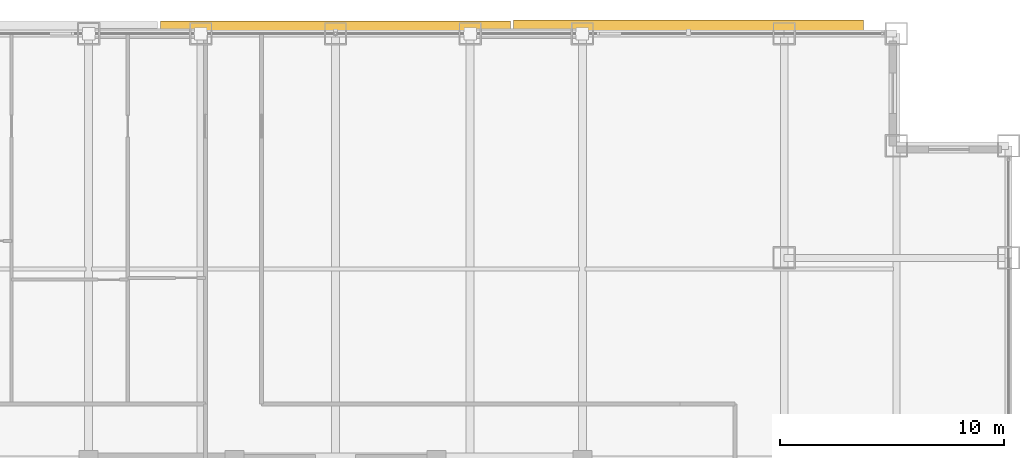
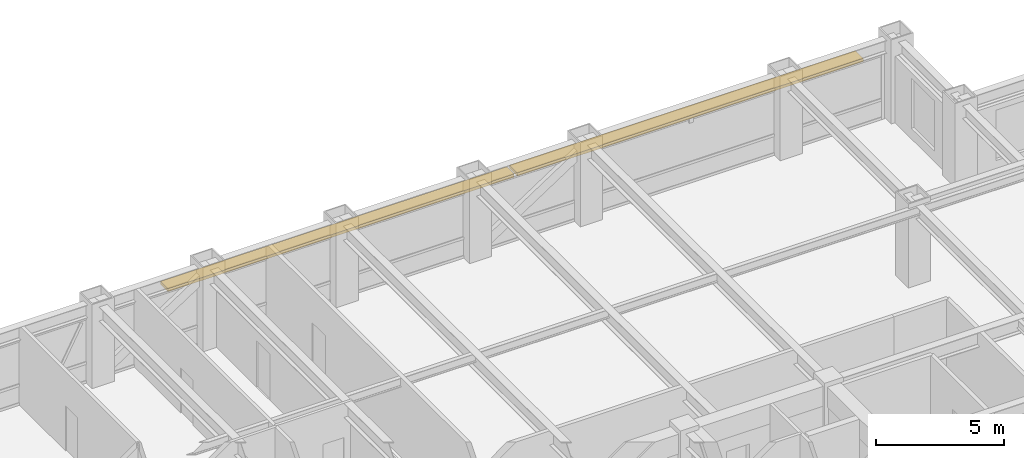
# One storey, part 29 of 29: 2 shading devices.
"""IFC4 building model written with IfcOpenShell, lengths in metres."""

from ifc_helpers import new_model, si_unit, direction, frame, origin, origin_2d, place, context, subcontext, project, spatial, rectangle, extrude, source, transform, mapped, material, layer, layer_set, type_object, element, save


model = new_model("IFC4")

# Units and contexts
model_context = context("Model", 3, precision=1e-05, world=origin(), true_north=direction((0.0, 1.0)))
body_context = subcontext(model_context, "Body", "Model", "MODEL_VIEW")
ifc_project = project(units=[si_unit("LENGTHUNIT", "METRE"), si_unit("AREAUNIT", "SQUARE_METRE"), si_unit("VOLUMEUNIT", "CUBIC_METRE"), si_unit("PLANEANGLEUNIT", "RADIAN"), si_unit("MASSUNIT", "GRAM", prefix="KILO")], contexts=[model_context])

# Site, building, storey
site_placement = place(None, origin())
site = spatial("IfcSite", under=ifc_project, at=site_placement, CompositionType="ELEMENT")
building_placement = place(site_placement, origin())
building = spatial("IfcBuilding", under=site, at=building_placement, Name="Khorayat Bourse Tower", CompositionType="ELEMENT")
storey_placement = place(building_placement, frame((0.0, 0.0, 243.10009765625)))
storey = spatial("IfcBuildingStorey", under=building, at=storey_placement, Name="L57", CompositionType="ELEMENT", Elevation=243.10009765625)

# Shading devices
ifc_material = material(Name="Precast concrete C45/55", Category="concrete")
ifc_layer = layer(ifc_material, 0.139892578125)
ifc_layer_set = layer_set([ifc_layer], Name="Precast concrete C45/55")
shading_device_type = type_object("IfcShadingDeviceType", Name="SHD-WAVE-TRAY-A", PredefinedType="USERDEFINED", material=ifc_layer_set)
shared_shape_1 = source(origin(), body_context, "Body", "SweptSolid", [
    extrude(rectangle(XDim=15.59326171875, YDim=0.589111328125, at=origin_2d()), origin(), (0.0, 0.0, 1.0), 0.139892578125),
])
shading_device_1_placement = place(storey_placement, frame((0.0, 30.274658203125, 3.02978515625), z_axis=(0.0, 0.0, 1.0), x_axis=(1.0, 0.0, 0.0)))
element("IfcShadingDevice", 1, at=shading_device_1_placement, inside=storey, type_object=shading_device_type, Name="L57 Sinusoidal Wave Sunshade Tray N-2", ObjectType="SUNSHADE", PredefinedType="USERDEFINED", context=body_context, shape_type="MappedRepresentation", body=[
    mapped(shared_shape_1, transform((0.0, 0.0, 0.0), scale=1.0)),
])
shared_shape_2 = source(origin(), body_context, "Body", "SweptSolid", [
    extrude(rectangle(XDim=15.59326171875, YDim=0.626220703125, at=origin_2d()), origin(), (0.0, 0.0, 1.0), 0.139892578125),
])
shading_device_2_placement = place(storey_placement, frame((15.7333984375, 30.293212890625, 3.02978515625), z_axis=(0.0, 0.0, 1.0), x_axis=(1.0, 0.0, 0.0)))
element("IfcShadingDevice", 2, at=shading_device_2_placement, inside=storey, type_object=shading_device_type, Name="L57 Sinusoidal Wave Sunshade Tray N-3", ObjectType="SUNSHADE", PredefinedType="USERDEFINED", context=body_context, shape_type="MappedRepresentation", body=[
    mapped(shared_shape_2, transform((0.0, 0.0, 0.0), scale=1.0)),
])

save(model, "model.ifc")
